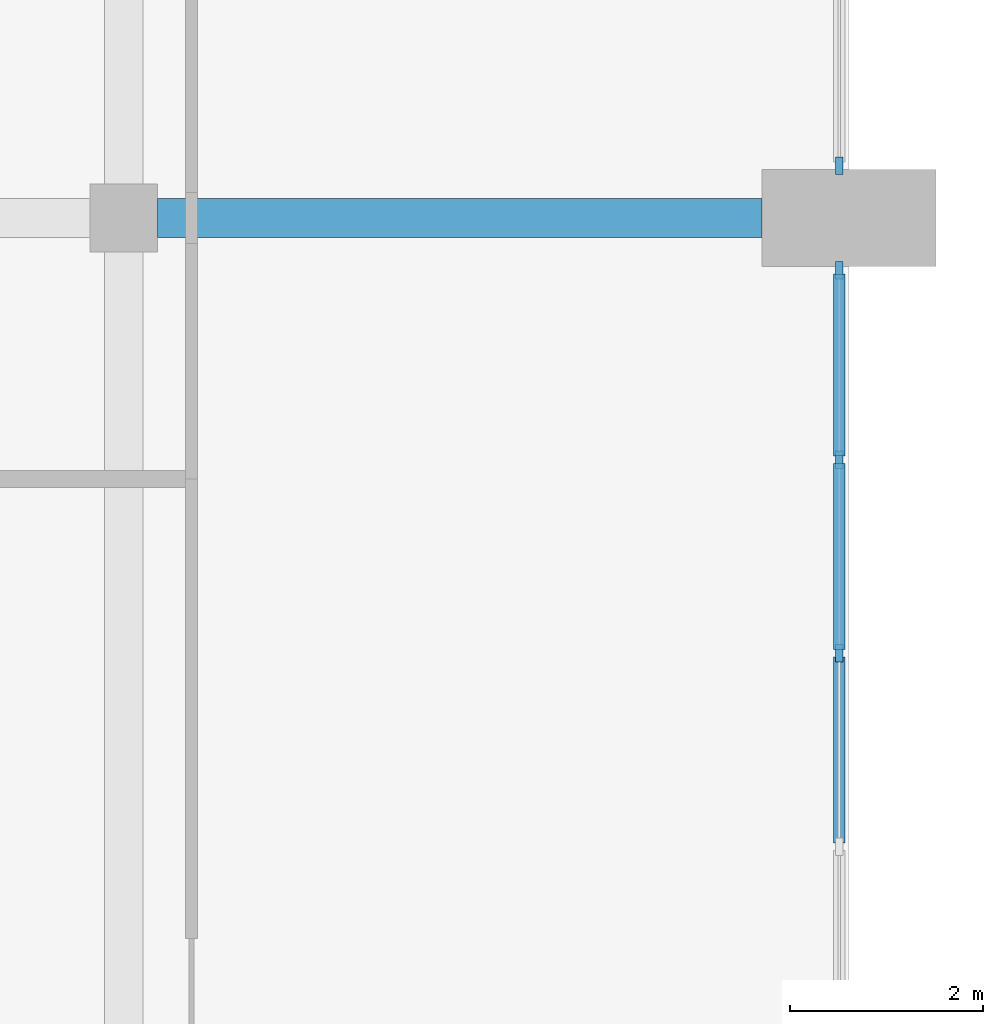
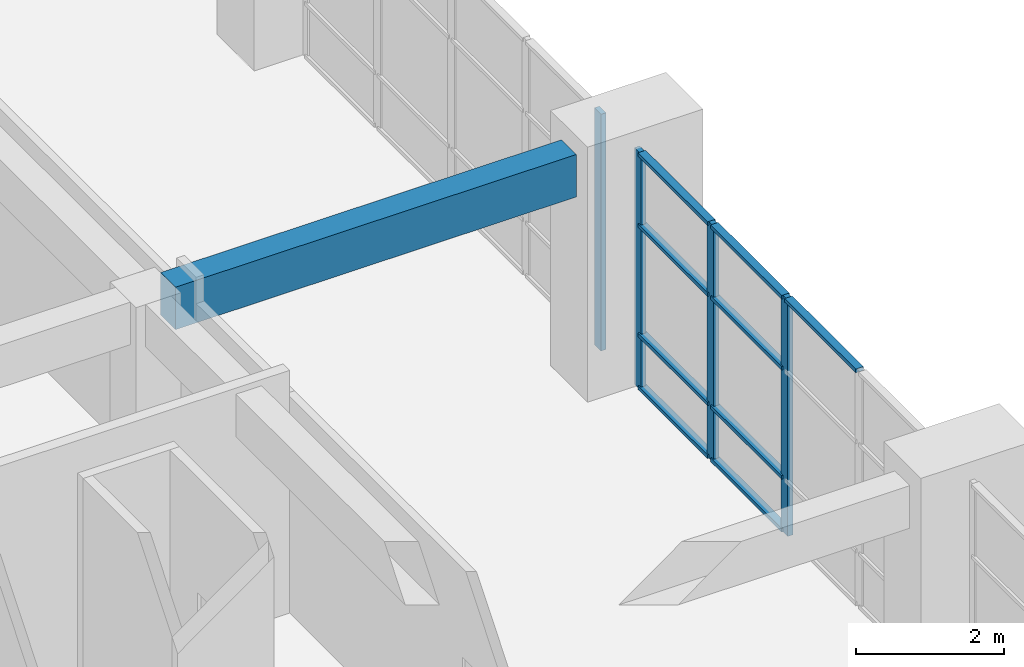
# One storey, part 8 of 45: 13 members, 1 beam, 2 elements without a shape of their own.
"""IFC4 building model written with IfcOpenShell, lengths in metres."""

from ifc_helpers import new_model, si_unit, direction, frame, origin, origin_2d, place, context, subcontext, project, spatial, rectangle, extrude, material, material_profile, profile_set, type_object, element, aggregate, save


model = new_model("IFC4")

# Units and contexts
model_context = context("Model", 3, precision=1e-05, world=origin(), true_north=direction((0.0, 1.0)))
body_context = subcontext(model_context, "Body", "Model", "MODEL_VIEW")
ifc_project = project(units=[si_unit("LENGTHUNIT", "METRE"), si_unit("AREAUNIT", "SQUARE_METRE"), si_unit("VOLUMEUNIT", "CUBIC_METRE"), si_unit("PLANEANGLEUNIT", "RADIAN"), si_unit("MASSUNIT", "GRAM", prefix="KILO")], contexts=[model_context])

# Site, building, storey
site_placement = place(None, origin())
site = spatial("IfcSite", under=ifc_project, at=site_placement, CompositionType="ELEMENT")
building_placement = place(site_placement, origin())
building = spatial("IfcBuilding", under=site, at=building_placement, Name="Elmora Arch Market Hall", CompositionType="ELEMENT")
storey_placement = place(building_placement, frame((0.0, 0.0, 6.0)))
storey = spatial("IfcBuildingStorey", under=building, at=storey_placement, Name="L01", CompositionType="ELEMENT", Elevation=6.0)

# Curtain wall, members
ifc_material_1 = material(Name="Aluminium", Category="aluminium")
curtain_wall_type = type_object("IfcCurtainWallType", Name="Hall front curtain wall", PredefinedType="NOTDEFINED", material=ifc_material_1)
curtain_wall_1_placement = place(storey_placement, origin())
curtain_wall_1 = element("IfcCurtainWall", 1, at=curtain_wall_1_placement, inside=storey, type_object=curtain_wall_type, Name="Wing front W L01 6", PredefinedType="NOTDEFINED")
ifc_material_2 = material(Name="Aluminium", Category="aluminium")
ifc_material_profile_1 = material_profile(ifc_material_2, rectangle(XDim=0.080078125, YDim=0.179931640625, at=origin_2d()), Name="AL 80x180")
ifc_profile_set_1 = profile_set([ifc_material_profile_1], Name="Aluminium")
member_type_1 = type_object("IfcMemberType", Name="Mullion 80x180", PredefinedType="MULLION", material=ifc_profile_set_1)
member_1_placement = place(storey_placement, frame((14.89990234375, 76.5, 0.0), z_axis=(0.0, 0.0, 1.0), x_axis=(-1.0, 0.0, 0.0)))
member_1 = element("IfcMember", 2, at=member_1_placement, type_object=member_type_1, Name="CW2 mullion 3", PredefinedType="MULLION", context=body_context, shape_type="SweptSolid", body=[
    extrude(rectangle(XDim=0.080078125, YDim=0.179931640625, at=origin_2d()), origin(), (0.0, 0.0, 1.0), 3.89990234375),
])
member_2_placement = place(storey_placement, frame((14.89990234375, 78.5, 0.0), z_axis=(0.0, 0.0, 1.0), x_axis=(-1.0, 0.0, 0.0)))
member_2 = element("IfcMember", 3, at=member_2_placement, type_object=member_type_1, Name="CW2 mullion 4", PredefinedType="MULLION", context=body_context, shape_type="SweptSolid", body=[
    extrude(rectangle(XDim=0.080078125, YDim=0.179931640625, at=origin_2d()), origin(), (0.0, 0.0, 1.0), 3.89990234375),
])
member_3_placement = place(storey_placement, frame((14.89990234375, 80.4599609375, 0.0), z_axis=(0.0, 0.0, 1.0), x_axis=(-1.0, 0.0, 0.0)))
member_3 = element("IfcMember", 4, at=member_3_placement, type_object=member_type_1, Name="CW2 mullion 5", PredefinedType="MULLION", context=body_context, shape_type="SweptSolid", body=[
    extrude(rectangle(XDim=0.080078125, YDim=0.179931640625, at=origin_2d()), origin(), (0.0, 0.0, 1.0), 3.89990234375),
])

# Curtain wall, member
curtain_wall_2_placement = place(storey_placement, origin())
curtain_wall_2 = element("IfcCurtainWall", 5, at=curtain_wall_2_placement, inside=storey, type_object=curtain_wall_type, Name="Wing front W L01 7", PredefinedType="NOTDEFINED")
member_4_placement = place(storey_placement, frame((14.89990234375, 81.5400390625, 0.0), z_axis=(0.0, 0.0, 1.0), x_axis=(-1.0, 0.0, 0.0)))
member_4 = element("IfcMember", 6, at=member_4_placement, type_object=member_type_1, Name="CW2 mullion 1", PredefinedType="MULLION", context=body_context, shape_type="SweptSolid", body=[
    extrude(rectangle(XDim=0.080078125, YDim=0.179931640625, at=origin_2d()), origin(), (0.0, 0.0, 1.0), 3.89990234375),
])
aggregate(curtain_wall_2, [member_4])

# Member
ifc_material_3 = material(Name="Aluminium", Category="aluminium")
ifc_material_profile_2 = material_profile(ifc_material_3, rectangle(XDim=0.1201171875, YDim=0.06005859375, at=origin_2d()), Name="AL 120x60")
ifc_profile_set_2 = profile_set([ifc_material_profile_2], Name="Aluminium")
member_type_2 = type_object("IfcMemberType", Name="Transom 120x60", PredefinedType="USERDEFINED", material=ifc_profile_set_2)
member_5_placement = place(storey_placement, frame((14.89990234375, 74.5400390625, 3.8701171875), z_axis=(0.0, 1.0, 0.0), x_axis=(-1.0, 0.0, 0.0)))
member_5 = element("IfcMember", 7, at=member_5_placement, type_object=member_type_2, Name="CW2 transom 2.4", ObjectType="TRANSOM", PredefinedType="USERDEFINED", context=body_context, shape_type="SweptSolid", body=[
    extrude(rectangle(XDim=0.1201171875, YDim=0.06005859375, at=origin_2d()), origin(), (0.0, 0.0, 1.0), 1.919921875),
])

member_6_placement = place(storey_placement, frame((14.89990234375, 76.5400390625, 0.030029296875), z_axis=(0.0, 1.0, 0.0), x_axis=(-1.0, 0.0, 0.0)))
member_6 = element("IfcMember", 8, at=member_6_placement, type_object=member_type_2, Name="CW2 transom 3.1", ObjectType="TRANSOM", PredefinedType="USERDEFINED", context=body_context, shape_type="SweptSolid", body=[
    extrude(rectangle(XDim=0.1201171875, YDim=0.06005859375, at=origin_2d()), origin(), (0.0, 0.0, 1.0), 1.919921875),
])

member_7_placement = place(storey_placement, frame((14.89990234375, 76.5400390625, 0.89990234375), z_axis=(0.0, 1.0, 0.0), x_axis=(-1.0, 0.0, 0.0)))
member_7 = element("IfcMember", 9, at=member_7_placement, type_object=member_type_2, Name="CW2 transom 3.2", ObjectType="TRANSOM", PredefinedType="USERDEFINED", context=body_context, shape_type="SweptSolid", body=[
    extrude(rectangle(XDim=0.1201171875, YDim=0.06005859375, at=origin_2d()), origin(), (0.0, 0.0, 1.0), 1.919921875),
])

member_8_placement = place(storey_placement, frame((14.89990234375, 76.5400390625, 2.699951171875), z_axis=(0.0, 1.0, 0.0), x_axis=(-1.0, 0.0, 0.0)))
member_8 = element("IfcMember", 10, at=member_8_placement, type_object=member_type_2, Name="CW2 transom 3.3", ObjectType="TRANSOM", PredefinedType="USERDEFINED", context=body_context, shape_type="SweptSolid", body=[
    extrude(rectangle(XDim=0.1201171875, YDim=0.06005859375, at=origin_2d()), origin(), (0.0, 0.0, 1.0), 1.919921875),
])

member_9_placement = place(storey_placement, frame((14.89990234375, 76.5400390625, 3.8701171875), z_axis=(0.0, 1.0, 0.0), x_axis=(-1.0, 0.0, 0.0)))
member_9 = element("IfcMember", 11, at=member_9_placement, type_object=member_type_2, Name="CW2 transom 3.4", ObjectType="TRANSOM", PredefinedType="USERDEFINED", context=body_context, shape_type="SweptSolid", body=[
    extrude(rectangle(XDim=0.1201171875, YDim=0.06005859375, at=origin_2d()), origin(), (0.0, 0.0, 1.0), 1.919921875),
])

member_10_placement = place(storey_placement, frame((14.89990234375, 78.5400390625, 0.030029296875), z_axis=(0.0, 1.0, 0.0), x_axis=(-1.0, 0.0, 0.0)))
member_10 = element("IfcMember", 12, at=member_10_placement, type_object=member_type_2, Name="CW2 transom 4.1", ObjectType="TRANSOM", PredefinedType="USERDEFINED", context=body_context, shape_type="SweptSolid", body=[
    extrude(rectangle(XDim=0.1201171875, YDim=0.06005859375, at=origin_2d()), origin(), (0.0, 0.0, 1.0), 1.8798828125),
])

member_11_placement = place(storey_placement, frame((14.89990234375, 78.5400390625, 0.89990234375), z_axis=(0.0, 1.0, 0.0), x_axis=(-1.0, 0.0, 0.0)))
member_11 = element("IfcMember", 13, at=member_11_placement, type_object=member_type_2, Name="CW2 transom 4.2", ObjectType="TRANSOM", PredefinedType="USERDEFINED", context=body_context, shape_type="SweptSolid", body=[
    extrude(rectangle(XDim=0.1201171875, YDim=0.06005859375, at=origin_2d()), origin(), (0.0, 0.0, 1.0), 1.8798828125),
])

member_12_placement = place(storey_placement, frame((14.89990234375, 78.5400390625, 2.699951171875), z_axis=(0.0, 1.0, 0.0), x_axis=(-1.0, 0.0, 0.0)))
member_12 = element("IfcMember", 14, at=member_12_placement, type_object=member_type_2, Name="CW2 transom 4.3", ObjectType="TRANSOM", PredefinedType="USERDEFINED", context=body_context, shape_type="SweptSolid", body=[
    extrude(rectangle(XDim=0.1201171875, YDim=0.06005859375, at=origin_2d()), origin(), (0.0, 0.0, 1.0), 1.8798828125),
])

member_13_placement = place(storey_placement, frame((14.89990234375, 78.5400390625, 3.8701171875), z_axis=(0.0, 1.0, 0.0), x_axis=(-1.0, 0.0, 0.0)))
member_13 = element("IfcMember", 15, at=member_13_placement, type_object=member_type_2, Name="CW2 transom 4.4", ObjectType="TRANSOM", PredefinedType="USERDEFINED", context=body_context, shape_type="SweptSolid", body=[
    extrude(rectangle(XDim=0.1201171875, YDim=0.06005859375, at=origin_2d()), origin(), (0.0, 0.0, 1.0), 1.8798828125),
])

aggregate(curtain_wall_1, [member_1, member_2, member_3, member_5, member_6, member_7, member_8, member_9, member_10, member_11, member_12, member_13])

# Beam
ifc_material_4 = material(Name="Concrete C32/40", Category="concrete")
ifc_material_profile_3 = material_profile(ifc_material_4, rectangle(XDim=0.39990234375, YDim=0.699951171875, at=origin_2d()), Name="Wing beam 400x700")
ifc_profile_set_3 = profile_set([ifc_material_profile_3], Name="Concrete C32/40")
beam_type = type_object("IfcBeamType", Name="Wing beam 400x700", PredefinedType="BEAM", material=ifc_profile_set_3)
beam_placement = place(storey_placement, frame((7.85009765625, 81.0, 3.550048828125), z_axis=(1.0, 0.0, 0.0), x_axis=(0.0, 1.0, 0.0)))
element("IfcBeam", 16, at=beam_placement, inside=storey, type_object=beam_type, Name="Wing beam WR7 L01.2", PredefinedType="BEAM", context=body_context, shape_type="SweptSolid", body=[
    extrude(rectangle(XDim=0.39990234375, YDim=0.699951171875, at=origin_2d()), origin(), (0.0, 0.0, 1.0), 6.25),
])

save(model, "model.ifc")
